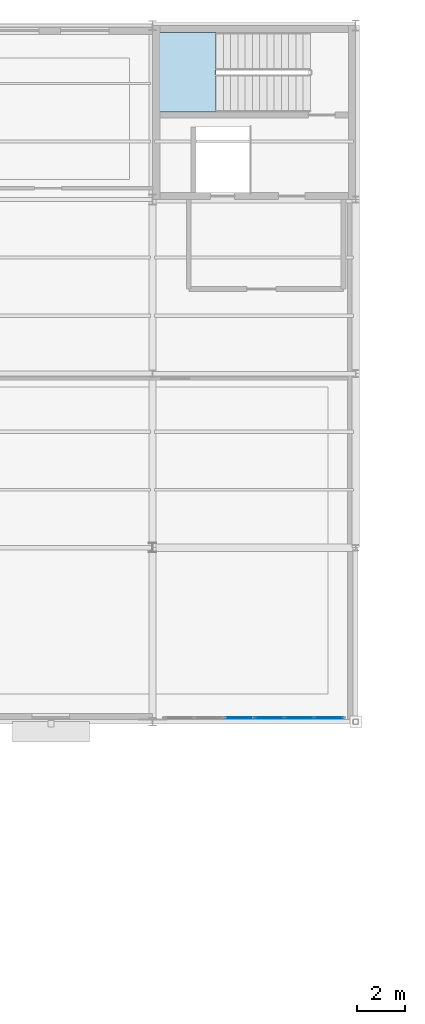
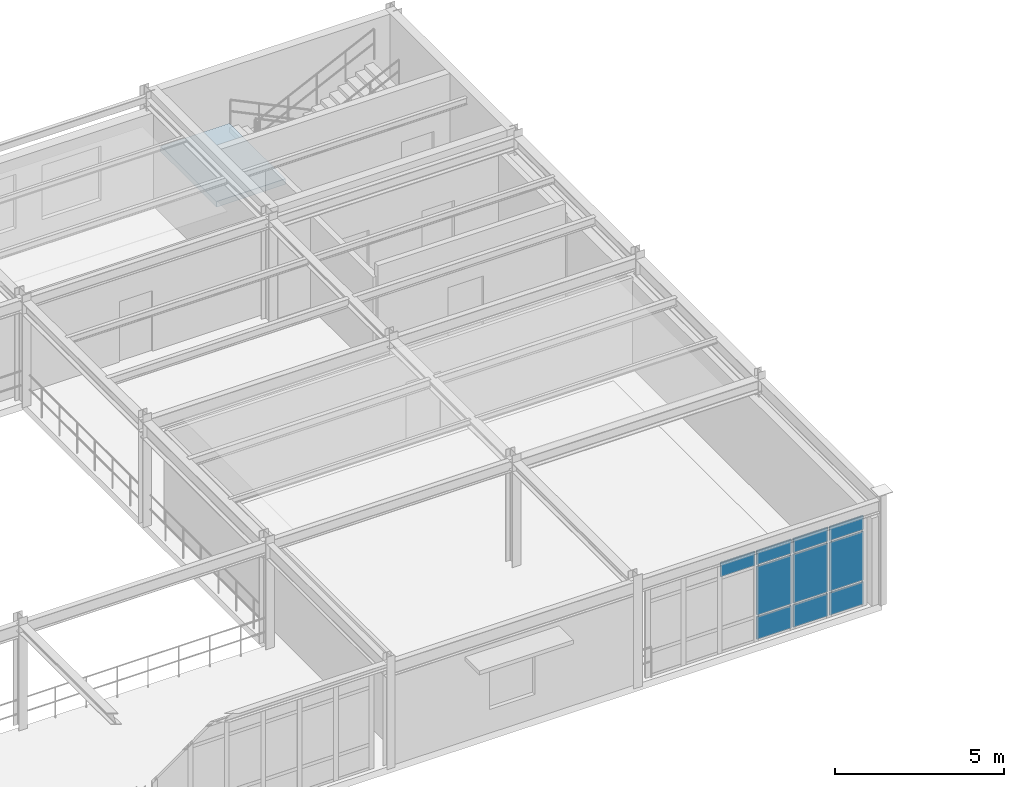
# One storey, part 49 of 70: 10 plates, 1 slab, 2 elements without a shape of their own.
"""IFC4 building model written with IfcOpenShell, lengths in metres."""

from ifc_helpers import new_model, si_unit, derived_unit, direction, frame, origin, origin_2d, place, context, subcontext, project, spatial, polyline, rectangle, outline, extrude, material, layer, layer_set, type_object, element, aggregate, save


model = new_model("IFC4")

# Units and contexts
model_context = context("Model", 3, precision=1e-05, world=origin(), true_north=direction((0.0, 1.0)))
body_context = subcontext(model_context, "Body", "Model", "MODEL_VIEW")
ifc_project = project(units=[si_unit("LENGTHUNIT", "METRE"), si_unit("AREAUNIT", "SQUARE_METRE"), si_unit("VOLUMEUNIT", "CUBIC_METRE"), si_unit("PLANEANGLEUNIT", "RADIAN"), si_unit("MASSUNIT", "GRAM", prefix="KILO"), derived_unit("THERMALTRANSMITTANCEUNIT", [(si_unit("POWERUNIT", "WATT"), 1), (si_unit("AREAUNIT", "SQUARE_METRE"), -1), (si_unit("THERMODYNAMICTEMPERATUREUNIT", "KELVIN"), -1)])], contexts=[model_context])

# Site, building, storey
site_placement = place(None, origin())
site = spatial("IfcSite", under=ifc_project, at=site_placement, CompositionType="ELEMENT")
building_placement = place(site_placement, origin())
building = spatial("IfcBuilding", under=site, at=building_placement, Name="Yasenodar Specialist Clinic", CompositionType="ELEMENT")
storey_placement = place(building_placement, frame((0.0, 0.0, 13.199951171875)))
storey = spatial("IfcBuildingStorey", under=building, at=storey_placement, Name="L03", CompositionType="ELEMENT", Elevation=13.199951171875)

# Curtain wall, plates
ifc_material_1 = material(Name="Bronze Anodized Aluminium and Triple Low-E Glass", Category="aluminium")
ifc_layer_1 = layer(ifc_material_1, 0.215087890625)
ifc_layer_set_1 = layer_set([ifc_layer_1], Name="Bronze Anodized Aluminium and Triple Low-E Glass")
curtain_wall_type = type_object("IfcCurtainWallType", Name="CW-SYS-05", PredefinedType="USERDEFINED", material=ifc_layer_set_1)
curtain_wall_placement = place(storey_placement, origin())
curtain_wall = element("IfcCurtainWall", 1, at=curtain_wall_placement, inside=storey, type_object=curtain_wall_type, Name="L03 Unitised Curtain Wall 158", ObjectType="UNITISED CURTAIN WALL", PredefinedType="USERDEFINED")
ifc_material_2 = material(Name="Triple Low-E Argon Glazing", Category="glass")
ifc_layer_2 = layer(ifc_material_2, 0.0400390625)
ifc_layer_set_2 = layer_set([ifc_layer_2], Name="Triple Low-E Argon Glazing")
plate_type = type_object("IfcPlateType", Name="CW-PAN-3", PredefinedType="CURTAIN_PANEL", material=ifc_layer_set_2)
plate_1_placement = place(storey_placement, frame((120.68505859375, 82.969970703125, 0.06005859375), z_axis=(0.0, 0.0, 1.0), x_axis=(-1.0, 0.0, 0.0)))
plate_1 = element("IfcPlate", 2, at=plate_1_placement, type_object=plate_type, Name="CW-05 panel 1.1", PredefinedType="CURTAIN_PANEL", context=body_context, shape_type="SweptSolid", body=[
    extrude(rectangle(XDim=1.14990234375, YDim=0.0400390625, at=origin_2d()), origin(), (0.0, 0.0, 1.0), 0.81005859375),
])
plate_2_placement = place(storey_placement, frame((120.68505859375, 82.969970703125, 0.93017578125), z_axis=(0.0, 0.0, 1.0), x_axis=(-1.0, 0.0, 0.0)))
plate_2 = element("IfcPlate", 3, at=plate_2_placement, type_object=plate_type, Name="CW-05 panel 1.2", PredefinedType="CURTAIN_PANEL", context=body_context, shape_type="SweptSolid", body=[
    extrude(rectangle(XDim=1.14990234375, YDim=0.0400390625, at=origin_2d()), origin(), (0.0, 0.0, 1.0), 1.758056640625),
])
plate_3_placement = place(storey_placement, frame((120.68505859375, 82.969970703125, 2.748046875), z_axis=(0.0, 0.0, 1.0), x_axis=(-1.0, 0.0, 0.0)))
plate_3 = element("IfcPlate", 4, at=plate_3_placement, type_object=plate_type, Name="CW-05 panel 1.3", PredefinedType="CURTAIN_PANEL", context=body_context, shape_type="SweptSolid", body=[
    extrude(rectangle(XDim=1.14990234375, YDim=0.0400390625, at=origin_2d()), origin(), (0.0, 0.0, 1.0), 0.510009765625),
])
plate_4_placement = place(storey_placement, frame((119.4599609375, 82.969970703125, 0.06005859375), z_axis=(0.0, 0.0, 1.0), x_axis=(-1.0, 0.0, 0.0)))
plate_4 = element("IfcPlate", 5, at=plate_4_placement, type_object=plate_type, Name="CW-05 panel 2.1", PredefinedType="CURTAIN_PANEL", context=body_context, shape_type="SweptSolid", body=[
    extrude(rectangle(XDim=1.179931640625, YDim=0.0400390625, at=origin_2d()), origin(), (0.0, 0.0, 1.0), 0.81005859375),
])
plate_5_placement = place(storey_placement, frame((119.4599609375, 82.969970703125, 0.93017578125), z_axis=(0.0, 0.0, 1.0), x_axis=(-1.0, 0.0, 0.0)))
plate_5 = element("IfcPlate", 6, at=plate_5_placement, type_object=plate_type, Name="CW-05 panel 2.2", PredefinedType="CURTAIN_PANEL", context=body_context, shape_type="SweptSolid", body=[
    extrude(rectangle(XDim=1.179931640625, YDim=0.0400390625, at=origin_2d()), origin(), (0.0, 0.0, 1.0), 1.758056640625),
])
plate_6_placement = place(storey_placement, frame((119.4599609375, 82.969970703125, 2.748046875), z_axis=(0.0, 0.0, 1.0), x_axis=(-1.0, 0.0, 0.0)))
plate_6 = element("IfcPlate", 7, at=plate_6_placement, type_object=plate_type, Name="CW-05 panel 2.3", PredefinedType="CURTAIN_PANEL", context=body_context, shape_type="SweptSolid", body=[
    extrude(rectangle(XDim=1.179931640625, YDim=0.0400390625, at=origin_2d()), origin(), (0.0, 0.0, 1.0), 0.510009765625),
])
plate_7_placement = place(storey_placement, frame((118.219970703125, 82.969970703125, 0.06005859375), z_axis=(0.0, 0.0, 1.0), x_axis=(-1.0, 0.0, 0.0)))
plate_7 = element("IfcPlate", 8, at=plate_7_placement, type_object=plate_type, Name="CW-05 panel 3.1", PredefinedType="CURTAIN_PANEL", context=body_context, shape_type="SweptSolid", body=[
    extrude(rectangle(XDim=1.179931640625, YDim=0.0400390625, at=origin_2d()), origin(), (0.0, 0.0, 1.0), 0.81005859375),
])
plate_8_placement = place(storey_placement, frame((118.219970703125, 82.969970703125, 0.93017578125), z_axis=(0.0, 0.0, 1.0), x_axis=(-1.0, 0.0, 0.0)))
plate_8 = element("IfcPlate", 9, at=plate_8_placement, type_object=plate_type, Name="CW-05 panel 3.2", PredefinedType="CURTAIN_PANEL", context=body_context, shape_type="SweptSolid", body=[
    extrude(rectangle(XDim=1.179931640625, YDim=0.0400390625, at=origin_2d()), origin(), (0.0, 0.0, 1.0), 1.758056640625),
])
plate_9_placement = place(storey_placement, frame((118.219970703125, 82.969970703125, 2.748046875), z_axis=(0.0, 0.0, 1.0), x_axis=(-1.0, 0.0, 0.0)))
plate_9 = element("IfcPlate", 10, at=plate_9_placement, type_object=plate_type, Name="CW-05 panel 3.3", PredefinedType="CURTAIN_PANEL", context=body_context, shape_type="SweptSolid", body=[
    extrude(rectangle(XDim=1.179931640625, YDim=0.0400390625, at=origin_2d()), origin(), (0.0, 0.0, 1.0), 0.510009765625),
])
plate_10_placement = place(storey_placement, frame((116.97998046875, 82.969970703125, 2.748046875), z_axis=(0.0, 0.0, 1.0), x_axis=(-1.0, 0.0, 0.0)))
plate_10 = element("IfcPlate", 11, at=plate_10_placement, type_object=plate_type, Name="CW-05 panel 4.3", PredefinedType="CURTAIN_PANEL", context=body_context, shape_type="SweptSolid", body=[
    extrude(rectangle(XDim=1.179931640625, YDim=0.0400390625, at=origin_2d()), origin(), (0.0, 0.0, 1.0), 0.510009765625),
])
aggregate(curtain_wall, [plate_1, plate_2, plate_3, plate_4, plate_5, plate_6, plate_7, plate_8, plate_9, plate_10])

# Stair, slab
ifc_material_3 = material(Name="Concrete C30/37", Category="concrete")
stair_type = type_object("IfcStairType", Name="ST-DOG-C4-28", PredefinedType="HALF_TURN_STAIR", material=ifc_material_3)
stair_placement = place(storey_placement, origin())
stair = element("IfcStair", 12, at=stair_placement, inside=storey, type_object=stair_type, Name="L03 Core C5 Exit Stair ST-05", PredefinedType="HALF_TURN_STAIR")
ifc_layer_3 = layer(ifc_material_3, 0.199951171875)
ifc_layer_set_3 = layer_set([ifc_layer_3], Name="Concrete C30/37")
slab_type = type_object("IfcSlabType", Name="SLB-LND-200", PredefinedType="LANDING", material=ifc_layer_set_3)
slab_placement = place(storey_placement, frame((0.0, 0.0, 1.824951171875)))
slab = element("IfcSlab", 13, at=slab_placement, type_object=slab_type, Name="ST-05 landing 1", PredefinedType="LANDING", context=body_context, shape_type="SweptSolid", body=[
    extrude(outline(polyline([(116.030029296875, 111.31005859375), (113.679931640625, 111.31005859375), (113.679931640625, 108.010009765625), (116.030029296875, 108.010009765625), (116.030029296875, 111.31005859375)])), origin(), (0.0, 0.0, 1.0), 0.2001953125),
])
aggregate(stair, [slab])

save(model, "model.ifc")
